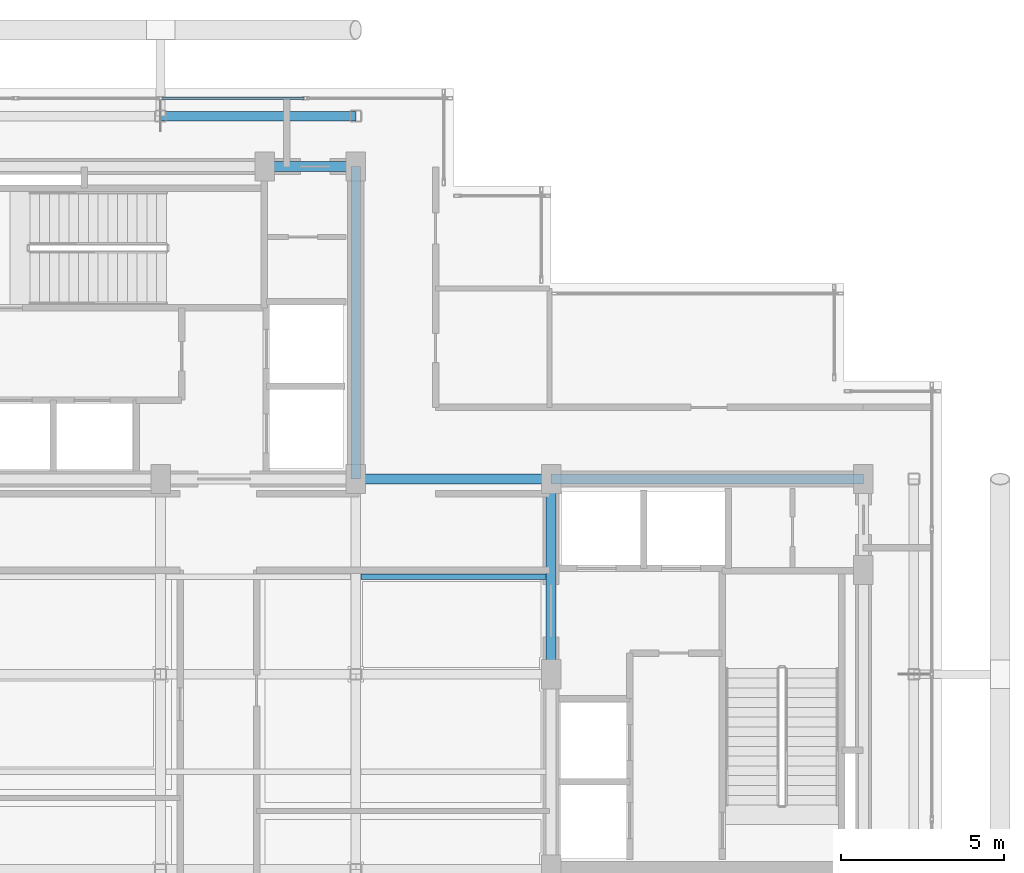
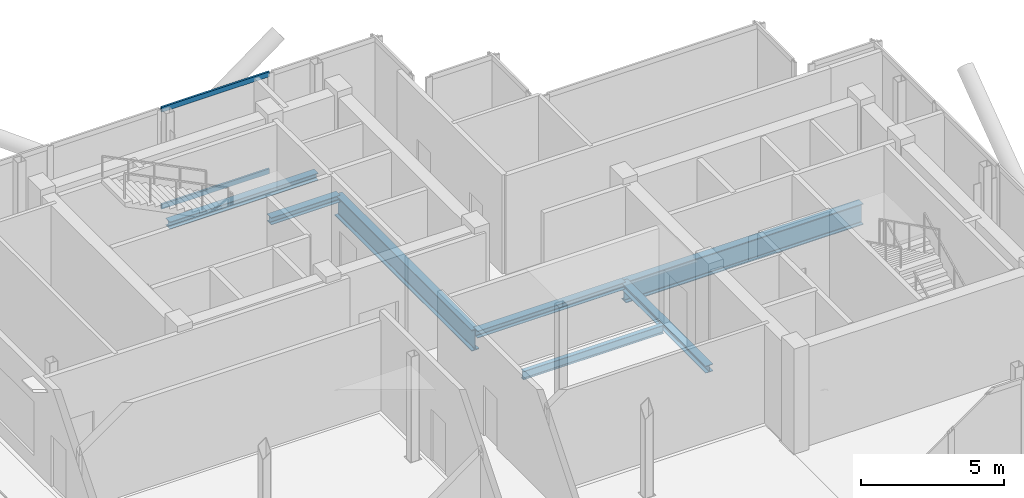
# One storey, part 7 of 16: 7 beams, 2 members, 1 element without a shape of its own.
"""IFC4 building model written with IfcOpenShell, lengths in metres."""

from ifc_helpers import new_model, si_unit, direction, frame, origin, origin_2d, place, context, subcontext, project, spatial, hollow_rectangle, i_section, extrude, material, layer, layer_set, material_profile, profile_set, type_object, element, aggregate, save


model = new_model("IFC4")

# Units and contexts
model_context = context("Model", 3, precision=1e-05, world=origin(), true_north=direction((0.0, 1.0)))
body_context = subcontext(model_context, "Body", "Model", "MODEL_VIEW")
ifc_project = project(units=[si_unit("LENGTHUNIT", "METRE"), si_unit("AREAUNIT", "SQUARE_METRE"), si_unit("VOLUMEUNIT", "CUBIC_METRE"), si_unit("PLANEANGLEUNIT", "RADIAN"), si_unit("MASSUNIT", "GRAM", prefix="KILO"), si_unit("THERMODYNAMICTEMPERATUREUNIT", "KELVIN"), si_unit("POWERUNIT", "WATT")], contexts=[model_context])

# Site, building, storey
site_placement = place(None, origin())
site = spatial("IfcSite", under=ifc_project, at=site_placement, CompositionType="ELEMENT")
building_placement = place(site_placement, origin())
building = spatial("IfcBuilding", under=site, at=building_placement, Name="Svarakhadi Broadcast Tower", CompositionType="ELEMENT")
storey_placement = place(building_placement, frame((0.0, 0.0, 296.39990234375)))
storey = spatial("IfcBuildingStorey", under=building, at=storey_placement, Name="L75", CompositionType="ELEMENT", Elevation=296.39990234375)

# Beam
ifc_material_1 = material(Name="Steel S355J2 (IS 2062 E350C)", Category="steel")
ifc_material_profile_1 = material_profile(ifc_material_1, i_section(OverallWidth=0.169921875, OverallDepth=0.360107421875, WebThickness=0.008056640625, FlangeThickness=0.0126953125, FilletRadius=0.01806640625, at=origin_2d()), Name="NPB 360x170x57")
ifc_profile_set_1 = profile_set([ifc_material_profile_1], Name="Steel S355J2 (IS 2062 E350C)")
beam_type_1 = type_object("IfcBeamType", Name="Beam_NPB360", PredefinedType="BEAM", material=ifc_profile_set_1)
beam_1_placement = place(storey_placement, frame((18.159912109375, 15.0, -0.3798828125), z_axis=(1.0, 0.0, 0.0), x_axis=(0.0, 1.0, 0.0)))
element("IfcBeam", 1, at=beam_1_placement, inside=storey, type_object=beam_type_1, Name="L75 Secondary Composite Beam SB012", PredefinedType="BEAM", context=body_context, shape_type="SweptSolid", body=[
    extrude(i_section(OverallWidth=0.169921875, OverallDepth=0.360107421875, WebThickness=0.008056640625, FlangeThickness=0.0126953125, FilletRadius=0.01806640625, at=origin_2d()), origin(), (0.0, 0.0, 1.0), 5.68017578125),
])

# Curtain wall, members
ifc_material_2 = material(Name="Anodised Bronze Aluminium AA 6063-T6", Category="aluminium")
ifc_layer = layer(ifc_material_2, 0.239990234375)
ifc_layer_set = layer_set([ifc_layer], Name="Anodised Bronze Aluminium AA 6063-T6")
curtain_wall_type = type_object("IfcCurtainWallType", Name="CW_Sys_06", PredefinedType="NOTDEFINED", material=ifc_layer_set)
curtain_wall_placement = place(storey_placement, origin())
curtain_wall = element("IfcCurtainWall", 2, at=curtain_wall_placement, inside=storey, type_object=curtain_wall_type, Name="L75 Unitised Facade Curtain Wall 06", PredefinedType="NOTDEFINED")
ifc_material_profile_2 = material_profile(ifc_material_2, hollow_rectangle(XDim=0.080078125, YDim=0.2099609375, WallThickness=0.0048828125, at=origin_2d()), Name="ALU TRANSOM 210x80x5")
ifc_profile_set_2 = profile_set([ifc_material_profile_2], Name="Anodised Bronze Aluminium AA 6063-T6")
member_type = type_object("IfcMemberType", Name="CW_Sys_06_Trn", PredefinedType="USERDEFINED", material=ifc_profile_set_2)
member_1_placement = place(storey_placement, frame((12.044921875, 29.699951171875, 0.0400390625), z_axis=(1.0, 0.0, 0.0), x_axis=(0.0, 1.0, 0.0)))
member_1 = element("IfcMember", 3, at=member_1_placement, type_object=member_type, Name="CW-06 transom 3.1", ObjectType="TRANSOM", PredefinedType="USERDEFINED", context=body_context, shape_type="SweptSolid", body=[
    extrude(hollow_rectangle(XDim=0.080078125, YDim=0.2099609375, WallThickness=0.0048828125, at=origin_2d()), origin(), (0.0, 0.0, 1.0), 4.364990234375),
])
member_2_placement = place(storey_placement, frame((12.044921875, 29.699951171875, 4.18505859375), z_axis=(1.0, 0.0, 0.0), x_axis=(0.0, 1.0, 0.0)))
member_2 = element("IfcMember", 4, at=member_2_placement, type_object=member_type, Name="CW-06 transom 3.2", ObjectType="TRANSOM", PredefinedType="USERDEFINED", context=body_context, shape_type="SweptSolid", body=[
    extrude(hollow_rectangle(XDim=0.080078125, YDim=0.2099609375, WallThickness=0.0048828125, at=origin_2d()), origin(), (0.0, 0.0, 1.0), 4.364990234375),
])
aggregate(curtain_wall, [member_1, member_2])

# Beams
ifc_material_profile_3 = material_profile(ifc_material_1, i_section(OverallWidth=0.300048828125, OverallDepth=0.300048828125, WebThickness=0.010986328125, FlangeThickness=0.01904296875, FilletRadius=0.027099609375, at=origin_2d()), Name="WPB 300x300x117")
ifc_profile_set_3 = profile_set([ifc_material_profile_3], Name="Steel S355J2 (IS 2062 E350C)")
beam_type_2 = type_object("IfcBeamType", Name="Girder_WPB300", PredefinedType="USERDEFINED", material=ifc_profile_set_3)
beam_2_placement = place(storey_placement, frame((18.0, 18.0, -0.349853515625), z_axis=(1.0, 0.0, 0.0), x_axis=(0.0, 1.0, 0.0)))
element("IfcBeam", 5, at=beam_2_placement, inside=storey, type_object=beam_type_2, Name="L75 Primary E-W Girder G020", ObjectType="GIRDER", PredefinedType="USERDEFINED", context=body_context, shape_type="SweptSolid", body=[
    extrude(i_section(OverallWidth=0.300048828125, OverallDepth=0.300048828125, WebThickness=0.010986328125, FlangeThickness=0.01904296875, FilletRadius=0.027099609375, at=origin_2d()), origin(), (0.0, 0.0, 1.0), 6.0),
])
beam_3_placement = place(storey_placement, frame((15.199951171875, 27.60009765625, -0.349853515625), z_axis=(1.0, 0.0, 0.0), x_axis=(0.0, 1.0, 0.0)))
element("IfcBeam", 6, at=beam_3_placement, inside=storey, type_object=beam_type_2, Name="L75 Primary E-W Girder G023", ObjectType="GIRDER", PredefinedType="USERDEFINED", context=body_context, shape_type="SweptSolid", body=[
    extrude(i_section(OverallWidth=0.300048828125, OverallDepth=0.300048828125, WebThickness=0.010986328125, FlangeThickness=0.01904296875, FilletRadius=0.027099609375, at=origin_2d()), origin(), (0.0, 0.0, 1.0), 2.800048828125),
])
for number, where, z_axis, x_axis, name in (
    (7, (12.0, 29.14990234375, -0.349853515625), (1.0, 0.0, 0.0), (0.0, 1.0, 0.0), "L75 Primary E-W Girder G025"),
    (8, (24.0, 12.0, -0.349853515625), (0.0, 1.0, 0.0), (-1.0, 0.0, 0.0), "L75 Primary N-S Girder G042"),
):
    element("IfcBeam", number, at=place(storey_placement, frame(where, z_axis=z_axis, x_axis=x_axis)), inside=storey, type_object=beam_type_2, Name=name, ObjectType="GIRDER", PredefinedType="USERDEFINED", context=body_context, shape_type="SweptSolid", body=[
        extrude(i_section(OverallWidth=0.300048828125, OverallDepth=0.300048828125, WebThickness=0.010986328125, FlangeThickness=0.01904296875, FilletRadius=0.027099609375, at=origin_2d()), origin(), (0.0, 0.0, 1.0), 6.0),
    ])
ifc_material_3 = material(Name="Steel S460ML (IS 2062 E450BR)", Category="steel")
ifc_material_profile_4 = material_profile(ifc_material_3, i_section(OverallWidth=0.300048828125, OverallDepth=0.89990234375, WebThickness=0.0185546875, FlangeThickness=0.034912109375, FilletRadius=0.030029296875, at=origin_2d()), Name="WPB 900x300x291")
ifc_profile_set_4 = profile_set([ifc_material_profile_4], Name="Steel S460ML (IS 2062 E450BR)")
beam_type_3 = type_object("IfcBeamType", Name="Girder_WPB900", PredefinedType="USERDEFINED", material=ifc_profile_set_4)
for number, where, z_axis, x_axis, name in (
    (9, (24.0, 18.0, -0.64990234375), (1.0, 0.0, 0.0), (0.0, 1.0, 0.0), "L75 Primary E-W Girder G021"),
    (10, (18.0, 18.0, -0.64990234375), (0.0, 1.0, 0.0), (-1.0, 0.0, 0.0), "L75 Primary N-S Girder G039"),
):
    element("IfcBeam", number, at=place(storey_placement, frame(where, z_axis=z_axis, x_axis=x_axis)), inside=storey, type_object=beam_type_3, Name=name, ObjectType="GIRDER", PredefinedType="USERDEFINED", context=body_context, shape_type="SweptSolid", body=[
        extrude(i_section(OverallWidth=0.300048828125, OverallDepth=0.89990234375, WebThickness=0.0185546875, FlangeThickness=0.034912109375, FilletRadius=0.030029296875, at=origin_2d()), origin(), (0.0, 0.0, 1.0), 9.60009765625),
    ])

save(model, "model.ifc")
